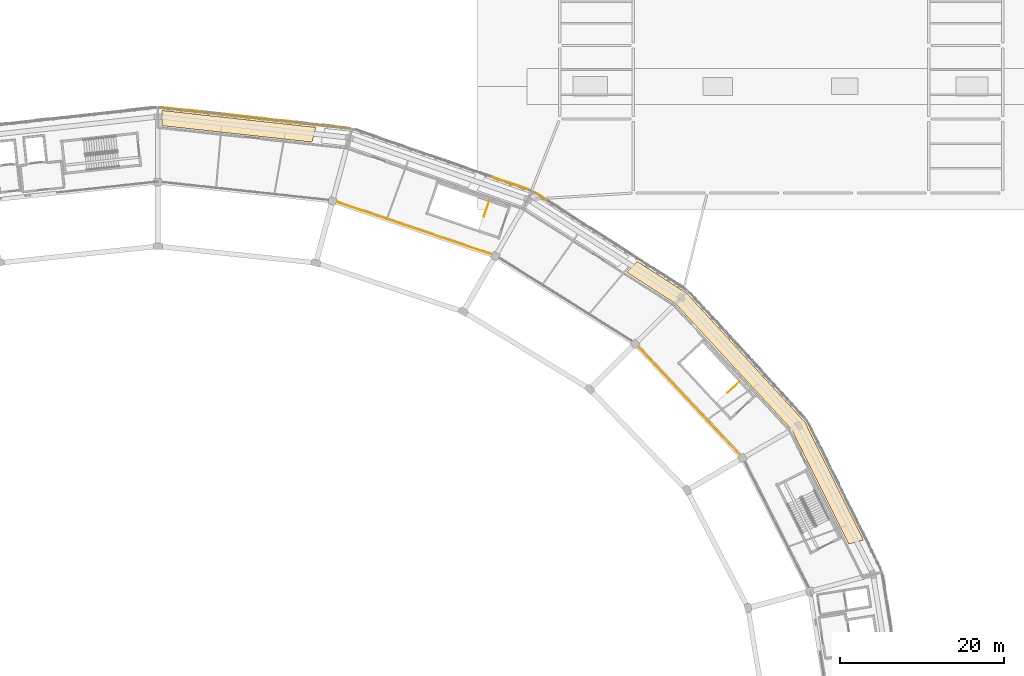
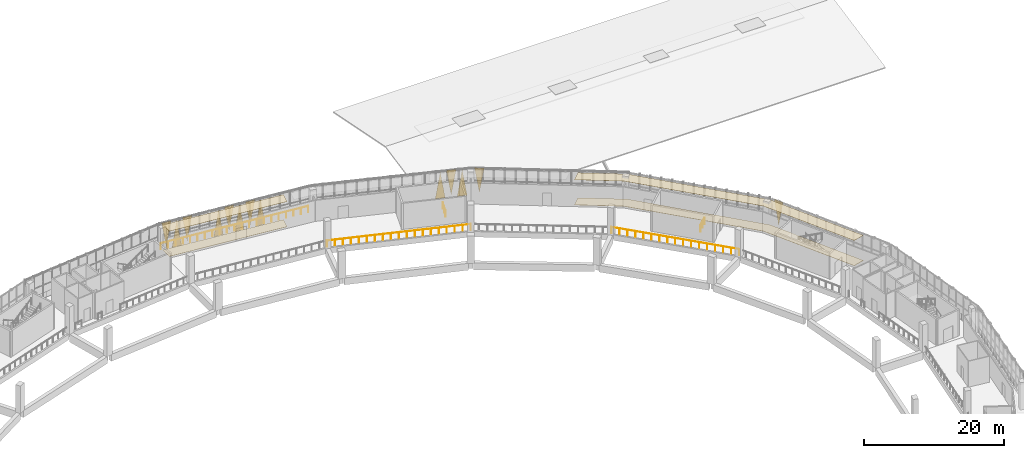
# One storey, part 103 of 108: 17 coverings, 5 railings.
"""IFC4 building model written with IfcOpenShell, lengths in metres."""

from ifc_helpers import new_model, si_unit, direction, frame, origin, origin_2d, place, context, subcontext, project, spatial, polyline, circle, outline, extrude, material, layer, layer_set, type_object, element, save


model = new_model("IFC4")

# Units and contexts
model_context = context("Model", 3, precision=1e-05, world=origin(), true_north=direction((0.0, 1.0)))
body_context = subcontext(model_context, "Body", "Model", "MODEL_VIEW")
ifc_project = project(units=[si_unit("LENGTHUNIT", "METRE"), si_unit("AREAUNIT", "SQUARE_METRE"), si_unit("VOLUMEUNIT", "CUBIC_METRE"), si_unit("PLANEANGLEUNIT", "RADIAN"), si_unit("MASSUNIT", "GRAM", prefix="KILO")], contexts=[model_context])

# Site, building, storey
site_placement = place(None, origin())
site = spatial("IfcSite", under=ifc_project, at=site_placement, CompositionType="ELEMENT")
building_placement = place(site_placement, origin())
building = spatial("IfcBuilding", under=site, at=building_placement, Name="Zevraka Park Crest Stadium", CompositionType="ELEMENT")
storey_placement = place(building_placement, frame((0.0, 0.0, 19.800048828125)))
storey = spatial("IfcBuildingStorey", under=building, at=storey_placement, Name="L04", CompositionType="ELEMENT", Elevation=19.800048828125)

# Coverings
ifc_material_1 = material(Name="Architectural golden-bronze perforated aluminium", Category="aluminium")
ifc_layer_1 = layer(ifc_material_1, 0.034912109375)
ifc_layer_set_1 = layer_set([ifc_layer_1], Name="Architectural golden-bronze perforated aluminium")
covering_type_1 = type_object("IfcCoveringType", Name="CLD01", PredefinedType="CLADDING", material=ifc_layer_set_1)
covering_1_placement = place(storey_placement, frame((191.47607421875, 129.77490234375, 4.52001953125), z_axis=(0.895905829586, 0.444244013014, 3.7623183e-05), x_axis=(0.444244013329, -0.89590583022, 0.0)))
element("IfcCovering", 1, at=covering_1_placement, inside=storey, type_object=covering_type_1, Name="Triangular Golden-Bronze Perforated Cladding L04-01-12", PredefinedType="CLADDING", context=body_context, shape_type="SweptSolid", body=[
    extrude(outline(polyline([(0.0, 0.0), (1.48107563553828, 0.0), (0.7399367712402792, 4.300048831168367), (0.0, 0.0)])), origin(), (0.0, 0.0, -1.0), 0.034912109375),
])
covering_2_placement = place(storey_placement, frame((158.196044921875, 157.965087890625, 4.52001953125), z_axis=(-0.539794335402, -0.841796917823, 0.000156883126), x_axis=(0.841796928182, -0.539794342045, 0.0)))
element("IfcCovering", 2, at=covering_2_placement, inside=storey, type_object=covering_type_1, Name="Triangular Golden-Bronze Perforated Cladding L04-03-14", PredefinedType="CLADDING", context=body_context, shape_type="SweptSolid", body=[
    extrude(outline(polyline([(0.0, 0.0), (1.3839906318215187, -1.3552527156068805e-20), (0.691847853710497, -4.30004888104208), (0.0, 0.0)])), origin(), (0.0, 0.0, -1.0), 0.034912109375),
])
covering_3_placement = place(storey_placement, frame((157.2490234375, 158.424072265625, -0.219970703125), z_axis=(-0.327569382519, -0.944827124489, 6.6818913e-05), x_axis=(-0.944827126599, 0.327569383251, 0.0)))
element("IfcCovering", 3, at=covering_3_placement, inside=storey, type_object=covering_type_1, Name="Triangular Golden-Bronze Perforated Cladding L04-04-1", PredefinedType="CLADDING", context=body_context, shape_type="SweptSolid", body=[
    extrude(outline(polyline([(0.0, 0.0), (1.4436648075350447, 0.0), (0.7220676986010613, -4.579833994598946), (0.0, 0.0)])), origin(), (0.0, 0.0, -1.0), 0.034912109375),
])
covering_4_placement = place(storey_placement, frame((154.368896484375, 159.422119140625, 4.52001953125), z_axis=(-0.327511028008, -0.944847346538, 0.000135182038), x_axis=(0.944847355171, -0.327511031, 0.0)))
element("IfcCovering", 4, at=covering_4_placement, inside=storey, type_object=covering_type_1, Name="Triangular Golden-Bronze Perforated Cladding L04-04-2", PredefinedType="CLADDING", context=body_context, shape_type="SweptSolid", body=[
    extrude(outline(polyline([(0.0, 0.0), (1.4446674660249328, 0.0), (0.7221476370723403, -4.300048867414942), (0.0, 0.0)])), origin(), (0.0, 0.0, -1.0), 0.034912109375),
])
covering_5_placement = place(storey_placement, frame((154.218017578125, 159.47412109375, -0.219970703125), z_axis=(0.327569380281, 0.944827118034, 0.000134647502), x_axis=(-0.944827126599, 0.327569383251, 0.0)))
element("IfcCovering", 5, at=covering_5_placement, inside=storey, type_object=covering_type_1, Name="Triangular Golden-Bronze Perforated Cladding L04-04-3", PredefinedType="CLADDING", context=body_context, shape_type="SweptSolid", body=[
    extrude(outline(polyline([(0.0, 0.0), (1.4436648075350447, 0.0), (0.7217478066252305, 4.579834025891081), (0.0, 0.0)])), origin(), (0.0, 0.0, -1.0), 0.034912109375),
])
covering_6_placement = place(storey_placement, frame((128.64404296875, 166.66796875, -0.219970703125), z_axis=(-0.109106903485, -0.994030016141, 0.000103070877), x_axis=(-0.994030021421, 0.109106904064, 0.0)))
element("IfcCovering", 6, at=covering_6_placement, inside=storey, type_object=covering_type_1, Name="Triangular Golden-Bronze Perforated Cladding L04-05-5", PredefinedType="CLADDING", context=body_context, shape_type="SweptSolid", body=[
    extrude(outline(polyline([(0.0, 0.0), (1.4768342469445075, 0.0), (0.738591739883103, -4.579834008702176), (0.0, 0.0)])), origin(), (0.0, 0.0, -1.0), 0.034912109375),
])
covering_7_placement = place(storey_placement, frame((125.548095703125, 167.009033203125, 4.52001953125), z_axis=(0.109688126852, 0.993966053113, 9.34152e-06), x_axis=(0.993966053156, -0.109688126857, 0.0)))
element("IfcCovering", 7, at=covering_7_placement, inside=storey, type_object=covering_type_1, Name="Triangular Golden-Bronze Perforated Cladding L04-05-6", PredefinedType="CLADDING", context=body_context, shape_type="SweptSolid", body=[
    extrude(outline(polyline([(0.0, 0.0), (1.477911781756094, -2.117582368135751e-22), (0.7393198921182166, 4.30004882831262), (0.0, 0.0)])), origin(), (0.0, 0.0, -1.0), 0.034912109375),
])
covering_8_placement = place(storey_placement, frame((125.388916015625, 167.02587890625, -0.219970703125), z_axis=(-0.109760215407, -0.993958095246, 2.925535e-06), x_axis=(-0.99395809525, 0.109760215408, 0.0)))
element("IfcCovering", 8, at=covering_8_placement, inside=storey, type_object=covering_type_1, Name="Triangular Golden-Bronze Perforated Cladding L04-05-7", PredefinedType="CLADDING", context=body_context, shape_type="SweptSolid", body=[
    extrude(outline(polyline([(0.0, 0.0), (1.4769411156667285, 0.0), (0.7383492250580652, -4.579833984394599), (0.0, 0.0)])), origin(), (0.0, 0.0, -1.0), 0.034912109375),
])
covering_9_placement = place(storey_placement, frame((122.29296875, 167.366943359375, 4.52001953125), z_axis=(-0.109596900839, -0.993976115757, 2.5105865e-05), x_axis=(0.993976116071, -0.109596900874, 0.0)))
element("IfcCovering", 9, at=covering_9_placement, inside=storey, type_object=covering_type_1, Name="Triangular Golden-Bronze Perforated Cladding L04-05-8", PredefinedType="CLADDING", context=body_context, shape_type="SweptSolid", body=[
    extrude(outline(polyline([(0.0, 0.0), (1.4769143386748145, 0.0), (0.7385918828404522, -4.300048829480171), (0.0, 0.0)])), origin(), (0.0, 0.0, -1.0), 0.034912109375),
])
covering_10_placement = place(storey_placement, frame((122.134033203125, 167.384033203125, -0.219970703125), z_axis=(-0.10952491697, -0.993984050386, 1.1897208e-05), x_axis=(-0.993984050456, 0.109524916977, 0.0)))
element("IfcCovering", 10, at=covering_10_placement, inside=storey, type_object=covering_type_1, Name="Triangular Golden-Bronze Perforated Cladding L04-05-9", PredefinedType="CLADDING", context=body_context, shape_type="SweptSolid", body=[
    extrude(outline(polyline([(0.0, 0.0), (1.477885022351149, 0.0), (0.7395625606347125, -4.579833984699124), (0.0, 0.0)])), origin(), (0.0, 0.0, -1.0), 0.034912109375),
])
covering_11_placement = place(storey_placement, frame((115.781982421875, 168.083984375, 4.52001953125), z_axis=(-0.1095249169, -0.993984049756, 3.7544961e-05), x_axis=(0.993984050456, -0.109524916977, 0.0)))
element("IfcCovering", 11, at=covering_11_placement, inside=storey, type_object=covering_type_1, Name="Triangular Golden-Bronze Perforated Cladding L04-05-12", PredefinedType="CLADDING", context=body_context, shape_type="SweptSolid", body=[
    extrude(outline(polyline([(0.0, 0.0), (1.477885022351149, 0.0), (0.7385918730854389, -4.300048831155727), (0.0, 0.0)])), origin(), (0.0, 0.0, -1.0), 0.034912109375),
])
covering_12_placement = place(storey_placement, frame((115.623046875, 168.10107421875, -0.219970703125), z_axis=(0.10952491696, 0.9939840503, 1.7735735e-05), x_axis=(-0.993984050456, 0.109524916977, 0.0)))
element("IfcCovering", 12, at=covering_12_placement, inside=storey, type_object=covering_type_1, Name="Triangular Golden-Bronze Perforated Cladding L04-05-13", PredefinedType="CLADDING", context=body_context, shape_type="SweptSolid", body=[
    extrude(outline(polyline([(0.0, 0.0), (1.477885022351149, -4.235164736271502e-22), (0.738565133603755, 4.579833985095308), (0.0, 0.0)])), origin(), (0.0, 0.0, -1.0), 0.034912109375),
])
covering_13_placement = place(storey_placement, frame((112.527099609375, 168.44189453125, 4.52001953125), z_axis=(0.109596900839, 0.993976115757, 2.5105865e-05), x_axis=(0.993976116071, -0.109596900874, 0.0)))
element("IfcCovering", 13, at=covering_13_placement, inside=storey, type_object=covering_type_1, Name="Triangular Golden-Bronze Perforated Cladding L04-05-14", PredefinedType="CLADDING", context=body_context, shape_type="SweptSolid", body=[
    extrude(outline(polyline([(0.0, 0.0), (1.4769143386748145, 0.0), (0.7383224558343622, 4.300048829480171), (0.0, 0.0)])), origin(), (0.0, 0.0, -1.0), 0.034912109375),
])
ifc_material_2 = material(Name="Perforated acoustic mineral-fibre suspended ceiling", Category="other")
ifc_layer_2 = layer(ifc_material_2, 0.02490234375)
ifc_layer_set_2 = layer_set([ifc_layer_2], Name="Perforated acoustic mineral-fibre suspended ceiling")
covering_type_2 = type_object("IfcCoveringType", Name="CLG01", PredefinedType="CEILING", material=ifc_layer_set_2)
covering_14_placement = place(storey_placement, frame((0.0, 0.0, 4.39990234375)))
element("IfcCovering", 14, at=covering_14_placement, inside=storey, type_object=covering_type_2, Name="Acoustic Ceiling Presidential Banquet Lounge L04-026", PredefinedType="CEILING", context=body_context, shape_type="SweptSolid", body=[
    extrude(outline(polyline([(176.448974609375, 145.803955078125), (190.923095703125, 130.033935546875), (198.0400390625, 115.669921875), (196.239990234375, 115.200927734375), (189.305908203125, 129.1201171875), (189.297119140625, 129.136962890625), (189.285888671875, 129.152099609375), (189.27392578125, 129.1669921875), (175.1220703125, 144.50390625), (175.110107421875, 144.51611328125), (175.096923828125, 144.52587890625), (175.0830078125, 144.535888671875), (169.14599609375, 148.35791015625), (170.4599609375, 149.64404296875), (176.448974609375, 145.803955078125)])), origin(), (0.0, 0.0, 1.0), 0.025146484375),
])
covering_15_placement = place(storey_placement, frame((0.0, 0.0, 4.39990234375)))
element("IfcCovering", 15, at=covering_15_placement, inside=storey, type_object=covering_type_2, Name="Acoustic Ceiling Presidential Reception Suite L04-029", PredefinedType="CEILING", context=body_context, shape_type="SweptSolid", body=[
    extrude(outline(polyline([(112.531982421875, 168.05908203125), (131.27392578125, 165.99609375), (130.802978515625, 164.201904296875), (112.52392578125, 166.2041015625), (112.531982421875, 168.05908203125)])), origin(), (0.0, 0.0, 1.0), 0.025146484375),
])
ifc_material_3 = material(Name="Honed terrazzo and slip-resistant sports flooring", Category="other")
ifc_layer_3 = layer(ifc_material_3, 0.0400390625)
ifc_layer_set_3 = layer_set([ifc_layer_3], Name="Honed terrazzo and slip-resistant sports flooring")
covering_type_3 = type_object("IfcCoveringType", Name="FLR01", PredefinedType="FLOORING", material=ifc_layer_set_3)
covering_16_placement = place(storey_placement, origin())
element("IfcCovering", 16, at=covering_16_placement, inside=storey, type_object=covering_type_3, Name="Terrazzo Floor Finish Presidential Banquet Lounge L04-026", PredefinedType="FLOORING", context=body_context, shape_type="SweptSolid", body=[
    extrude(outline(polyline([(176.448974609375, 145.803955078125), (190.923095703125, 130.033935546875), (198.0400390625, 115.669921875), (196.239990234375, 115.200927734375), (189.305908203125, 129.1201171875), (189.297119140625, 129.136962890625), (189.285888671875, 129.152099609375), (189.27392578125, 129.1669921875), (175.1220703125, 144.50390625), (175.110107421875, 144.51611328125), (175.096923828125, 144.52587890625), (175.0830078125, 144.535888671875), (169.14599609375, 148.35791015625), (170.4599609375, 149.64404296875), (176.448974609375, 145.803955078125)])), origin(), (0.0, 0.0, 1.0), 0.0400390625),
])
covering_17_placement = place(storey_placement, origin())
element("IfcCovering", 17, at=covering_17_placement, inside=storey, type_object=covering_type_3, Name="Terrazzo Floor Finish Presidential Reception Suite L04-029", PredefinedType="FLOORING", context=body_context, shape_type="SweptSolid", body=[
    extrude(outline(polyline([(112.531982421875, 168.05908203125), (131.27392578125, 165.99609375), (130.802978515625, 164.201904296875), (112.52392578125, 166.2041015625), (112.531982421875, 168.05908203125)])), origin(), (0.0, 0.0, 1.0), 0.0400390625),
])

# Railings
ifc_material_4 = material(Name="Galvanised and bronze-finished steel balustrade", Category="steel")
railing_type_1 = type_object("IfcRailingType", Name="GR01", PredefinedType="GUARDRAIL", material=ifc_material_4)
railing_1_placement = place(storey_placement, frame((112.360107421875, 168.389892578125, 0.0)))
element("IfcRailing", 18, at=railing_1_placement, inside=storey, type_object=railing_type_1, Name="Deck Edge Protection Guardrail GR01 L04-7", PredefinedType="GUARDRAIL", context=body_context, shape_type="SweptSolid", body=[
    extrude(circle(Radius=0.02392578125, at=origin_2d()), frame((0.0, 0.0, 1.076171875), z_axis=(0.993997671701, -0.109401227843, 0.0), x_axis=(0.109401227843, 0.993997671701, 0.0)), (0.0, 0.0, 1.0), 23.0703125),
    extrude(circle(Radius=0.02099609375, at=origin_2d()), origin(), (0.0, 0.0, 1.0), 1.052001953125),
    extrude(circle(Radius=0.02099609375, at=origin_2d()), frame((1.146484375, -0.126220703125, 0.0)), (0.0, 0.0, 1.0), 1.052001953125),
    extrude(circle(Radius=0.02099609375, at=origin_2d()), frame((2.293212890625, -0.25244140625, 0.0)), (0.0, 0.0, 1.0), 1.052001953125),
    extrude(circle(Radius=0.02099609375, at=origin_2d()), frame((3.439697265625, -0.378662109375, 0.0)), (0.0, 0.0, 1.0), 1.052001953125),
    extrude(circle(Radius=0.02099609375, at=origin_2d()), frame((4.58642578125, -0.5048828125, 0.0)), (0.0, 0.0, 1.0), 1.052001953125),
    extrude(circle(Radius=0.02099609375, at=origin_2d()), frame((5.73291015625, -0.630859375, 0.0)), (0.0, 0.0, 1.0), 1.052001953125),
    extrude(circle(Radius=0.02099609375, at=origin_2d()), frame((6.879638671875, -0.757080078125, 0.0)), (0.0, 0.0, 1.0), 1.052001953125),
    extrude(circle(Radius=0.02099609375, at=origin_2d()), frame((8.026123046875, -0.88330078125, 0.0)), (0.0, 0.0, 1.0), 1.052001953125),
    extrude(circle(Radius=0.02099609375, at=origin_2d()), frame((9.1728515625, -1.009521484375, 0.0)), (0.0, 0.0, 1.0), 1.052001953125),
    extrude(circle(Radius=0.02099609375, at=origin_2d()), frame((10.3193359375, -1.1357421875, 0.0)), (0.0, 0.0, 1.0), 1.052001953125),
    extrude(circle(Radius=0.02099609375, at=origin_2d()), frame((11.4658203125, -1.261962890625, 0.0)), (0.0, 0.0, 1.0), 1.052001953125),
    extrude(circle(Radius=0.02099609375, at=origin_2d()), frame((12.612548828125, -1.38818359375, 0.0)), (0.0, 0.0, 1.0), 1.052001953125),
    extrude(circle(Radius=0.02099609375, at=origin_2d()), frame((13.759033203125, -1.514404296875, 0.0)), (0.0, 0.0, 1.0), 1.052001953125),
    extrude(circle(Radius=0.02099609375, at=origin_2d()), frame((14.90576171875, -1.640625, 0.0)), (0.0, 0.0, 1.0), 1.052001953125),
    extrude(circle(Radius=0.02099609375, at=origin_2d()), frame((16.05224609375, -1.766845703125, 0.0)), (0.0, 0.0, 1.0), 1.052001953125),
    extrude(circle(Radius=0.02099609375, at=origin_2d()), frame((17.198974609375, -1.89306640625, 0.0)), (0.0, 0.0, 1.0), 1.052001953125),
    extrude(circle(Radius=0.02099609375, at=origin_2d()), frame((18.345458984375, -2.01904296875, 0.0)), (0.0, 0.0, 1.0), 1.052001953125),
    extrude(circle(Radius=0.02099609375, at=origin_2d()), frame((19.4921875, -2.145263671875, 0.0)), (0.0, 0.0, 1.0), 1.052001953125),
    extrude(circle(Radius=0.02099609375, at=origin_2d()), frame((20.638671875, -2.271484375, 0.0)), (0.0, 0.0, 1.0), 1.052001953125),
    extrude(circle(Radius=0.02099609375, at=origin_2d()), frame((21.785400390625, -2.397705078125, 0.0)), (0.0, 0.0, 1.0), 1.052001953125),
    extrude(circle(Radius=0.02099609375, at=origin_2d()), frame((22.931884765625, -2.52392578125, 0.0)), (0.0, 0.0, 1.0), 1.052001953125),
])
railing_2_placement = place(storey_placement, frame((183.319091796875, 125.7041015625, 0.0)))
element("IfcRailing", 19, at=railing_2_placement, inside=storey, type_object=railing_type_1, Name="Deck Edge Protection Guardrail GR01 L04-39", PredefinedType="GUARDRAIL", context=body_context, shape_type="SweptSolid", body=[
    extrude(circle(Radius=0.02392578125, at=origin_2d()), frame((0.0, 0.0, 1.076171875), z_axis=(-0.684337814499, 0.729165108633, 0.0), x_axis=(-0.729165108633, -0.684337814499, 0.0)), (0.0, 0.0, 1.0), 19.116455078125),
    extrude(circle(Radius=0.02099609375, at=origin_2d()), origin(), (0.0, 0.0, 1.0), 1.052001953125),
    extrude(circle(Radius=0.02099609375, at=origin_2d()), frame((-0.817626953125, 0.87109375, 0.0)), (0.0, 0.0, 1.0), 1.052001953125),
    extrude(circle(Radius=0.02099609375, at=origin_2d()), frame((-1.63525390625, 1.742431640625, 0.0)), (0.0, 0.0, 1.0), 1.052001953125),
    extrude(circle(Radius=0.02099609375, at=origin_2d()), frame((-2.452880859375, 2.613525390625, 0.0)), (0.0, 0.0, 1.0), 1.052001953125),
    extrude(circle(Radius=0.02099609375, at=origin_2d()), frame((-3.2705078125, 3.48486328125, 0.0)), (0.0, 0.0, 1.0), 1.052001953125),
    extrude(circle(Radius=0.02099609375, at=origin_2d()), frame((-4.088134765625, 4.35595703125, 0.0)), (0.0, 0.0, 1.0), 1.052001953125),
    extrude(circle(Radius=0.02099609375, at=origin_2d()), frame((-4.90576171875, 5.22705078125, 0.0)), (0.0, 0.0, 1.0), 1.052001953125),
    extrude(circle(Radius=0.02099609375, at=origin_2d()), frame((-5.723388671875, 6.098388671875, 0.0)), (0.0, 0.0, 1.0), 1.052001953125),
    extrude(circle(Radius=0.02099609375, at=origin_2d()), frame((-6.541015625, 6.969482421875, 0.0)), (0.0, 0.0, 1.0), 1.052001953125),
    extrude(circle(Radius=0.02099609375, at=origin_2d()), frame((-7.358642578125, 7.840576171875, 0.0)), (0.0, 0.0, 1.0), 1.052001953125),
    extrude(circle(Radius=0.02099609375, at=origin_2d()), frame((-8.17626953125, 8.7119140625, 0.0)), (0.0, 0.0, 1.0), 1.052001953125),
    extrude(circle(Radius=0.02099609375, at=origin_2d()), frame((-8.993896484375, 9.5830078125, 0.0)), (0.0, 0.0, 1.0), 1.052001953125),
    extrude(circle(Radius=0.02099609375, at=origin_2d()), frame((-9.8115234375, 10.4541015625, 0.0)), (0.0, 0.0, 1.0), 1.052001953125),
    extrude(circle(Radius=0.02099609375, at=origin_2d()), frame((-10.629150390625, 11.325439453125, 0.0)), (0.0, 0.0, 1.0), 1.052001953125),
    extrude(circle(Radius=0.02099609375, at=origin_2d()), frame((-11.44677734375, 12.196533203125, 0.0)), (0.0, 0.0, 1.0), 1.052001953125),
    extrude(circle(Radius=0.02099609375, at=origin_2d()), frame((-12.264404296875, 13.06787109375, 0.0)), (0.0, 0.0, 1.0), 1.052001953125),
    extrude(circle(Radius=0.02099609375, at=origin_2d()), frame((-13.08203125, 13.93896484375, 0.0)), (0.0, 0.0, 1.0), 1.052001953125),
])
railing_3_placement = place(storey_placement, frame((153.18408203125, 150.344970703125, 0.0)))
element("IfcRailing", 20, at=railing_3_placement, inside=storey, type_object=railing_type_1, Name="Deck Edge Protection Guardrail GR01 L04-41", PredefinedType="GUARDRAIL", context=body_context, shape_type="SweptSolid", body=[
    extrude(circle(Radius=0.02392578125, at=origin_2d()), frame((0.0, 0.0, 1.076171875), z_axis=(-0.94715899833, 0.32076444922, 0.0), x_axis=(-0.32076444922, -0.94715899833, 0.0)), (0.0, 0.0, 1.0), 20.987060546875),
    extrude(circle(Radius=0.02099609375, at=origin_2d()), origin(), (0.0, 0.0, 1.0), 1.052001953125),
    extrude(circle(Radius=0.02099609375, at=origin_2d()), frame((-1.104248046875, 0.3740234375, 0.0)), (0.0, 0.0, 1.0), 1.052001953125),
    extrude(circle(Radius=0.02099609375, at=origin_2d()), frame((-2.208740234375, 0.748046875, 0.0)), (0.0, 0.0, 1.0), 1.052001953125),
    extrude(circle(Radius=0.02099609375, at=origin_2d()), frame((-3.31298828125, 1.1220703125, 0.0)), (0.0, 0.0, 1.0), 1.052001953125),
    extrude(circle(Radius=0.02099609375, at=origin_2d()), frame((-4.41748046875, 1.49609375, 0.0)), (0.0, 0.0, 1.0), 1.052001953125),
    extrude(circle(Radius=0.02099609375, at=origin_2d()), frame((-5.521728515625, 1.869873046875, 0.0)), (0.0, 0.0, 1.0), 1.052001953125),
    extrude(circle(Radius=0.02099609375, at=origin_2d()), frame((-6.6259765625, 2.243896484375, 0.0)), (0.0, 0.0, 1.0), 1.052001953125),
    extrude(circle(Radius=0.02099609375, at=origin_2d()), frame((-7.73046875, 2.617919921875, 0.0)), (0.0, 0.0, 1.0), 1.052001953125),
    extrude(circle(Radius=0.02099609375, at=origin_2d()), frame((-8.834716796875, 2.991943359375, 0.0)), (0.0, 0.0, 1.0), 1.052001953125),
    extrude(circle(Radius=0.02099609375, at=origin_2d()), frame((-9.93896484375, 3.365966796875, 0.0)), (0.0, 0.0, 1.0), 1.052001953125),
    extrude(circle(Radius=0.02099609375, at=origin_2d()), frame((-11.04345703125, 3.739990234375, 0.0)), (0.0, 0.0, 1.0), 1.052001953125),
    extrude(circle(Radius=0.02099609375, at=origin_2d()), frame((-12.147705078125, 4.114013671875, 0.0)), (0.0, 0.0, 1.0), 1.052001953125),
    extrude(circle(Radius=0.02099609375, at=origin_2d()), frame((-13.252197265625, 4.488037109375, 0.0)), (0.0, 0.0, 1.0), 1.052001953125),
    extrude(circle(Radius=0.02099609375, at=origin_2d()), frame((-14.3564453125, 4.862060546875, 0.0)), (0.0, 0.0, 1.0), 1.052001953125),
    extrude(circle(Radius=0.02099609375, at=origin_2d()), frame((-15.460693359375, 5.23583984375, 0.0)), (0.0, 0.0, 1.0), 1.052001953125),
    extrude(circle(Radius=0.02099609375, at=origin_2d()), frame((-16.565185546875, 5.60986328125, 0.0)), (0.0, 0.0, 1.0), 1.052001953125),
    extrude(circle(Radius=0.02099609375, at=origin_2d()), frame((-17.66943359375, 5.98388671875, 0.0)), (0.0, 0.0, 1.0), 1.052001953125),
    extrude(circle(Radius=0.02099609375, at=origin_2d()), frame((-18.77392578125, 6.35791015625, 0.0)), (0.0, 0.0, 1.0), 1.052001953125),
    extrude(circle(Radius=0.02099609375, at=origin_2d()), frame((-19.878173828125, 6.73193359375, 0.0)), (0.0, 0.0, 1.0), 1.052001953125),
])
ifc_material_5 = material(Name="Powder-coated tubular steel stairwell guard", Category="steel")
railing_type_2 = type_object("IfcRailingType", Name="GR03", PredefinedType="GUARDRAIL", material=ifc_material_5)
railing_4_placement = place(storey_placement, frame((182.906494140625, 134.9716796875, 0.0)))
element("IfcRailing", 21, at=railing_4_placement, inside=storey, type_object=railing_type_2, Name="L04 ST03 top well guard 1", PredefinedType="GUARDRAIL", context=body_context, shape_type="SweptSolid", body=[
    extrude(circle(Radius=0.02392578125, at=origin_2d()), frame((0.0, 0.0, 1.076171875), z_axis=(-0.733019701773, -0.680207407202, 0.0), x_axis=(0.680207407202, -0.733019701773, 0.0)), (0.0, 0.0, 1.0), 1.9599609375),
    extrude(circle(Radius=0.02099609375, at=origin_2d()), origin(), (0.0, 0.0, 1.0), 1.052001953125),
    extrude(circle(Radius=0.02099609375, at=origin_2d()), frame((-0.71826171875, -0.66650390625, 0.0)), (0.0, 0.0, 1.0), 1.052001953125),
    extrude(circle(Radius=0.02099609375, at=origin_2d()), frame((-1.436767578125, -1.333251953125, 0.0)), (0.0, 0.0, 1.0), 1.052001953125),
])
railing_5_placement = place(storey_placement, frame((152.396240234375, 156.98974609375, 0.0)))
element("IfcRailing", 22, at=railing_5_placement, inside=storey, type_object=railing_type_2, Name="L04 ST05 top well guard 1", PredefinedType="GUARDRAIL", context=body_context, shape_type="SweptSolid", body=[
    extrude(circle(Radius=0.02392578125, at=origin_2d()), frame((0.0, 0.0, 1.076171875), z_axis=(-0.323989920405, -0.94606053267, 0.0), x_axis=(0.94606053267, -0.323989920405, 0.0)), (0.0, 0.0, 1.0), 1.9599609375),
    extrude(circle(Radius=0.02099609375, at=origin_2d()), origin(), (0.0, 0.0, 1.0), 1.052001953125),
    extrude(circle(Radius=0.02099609375, at=origin_2d()), frame((-0.3173828125, -0.92724609375, 0.0)), (0.0, 0.0, 1.0), 1.052001953125),
    extrude(circle(Radius=0.02099609375, at=origin_2d()), frame((-0.635009765625, -1.854248046875, 0.0)), (0.0, 0.0, 1.0), 1.052001953125),
])

save(model, "model.ifc")
